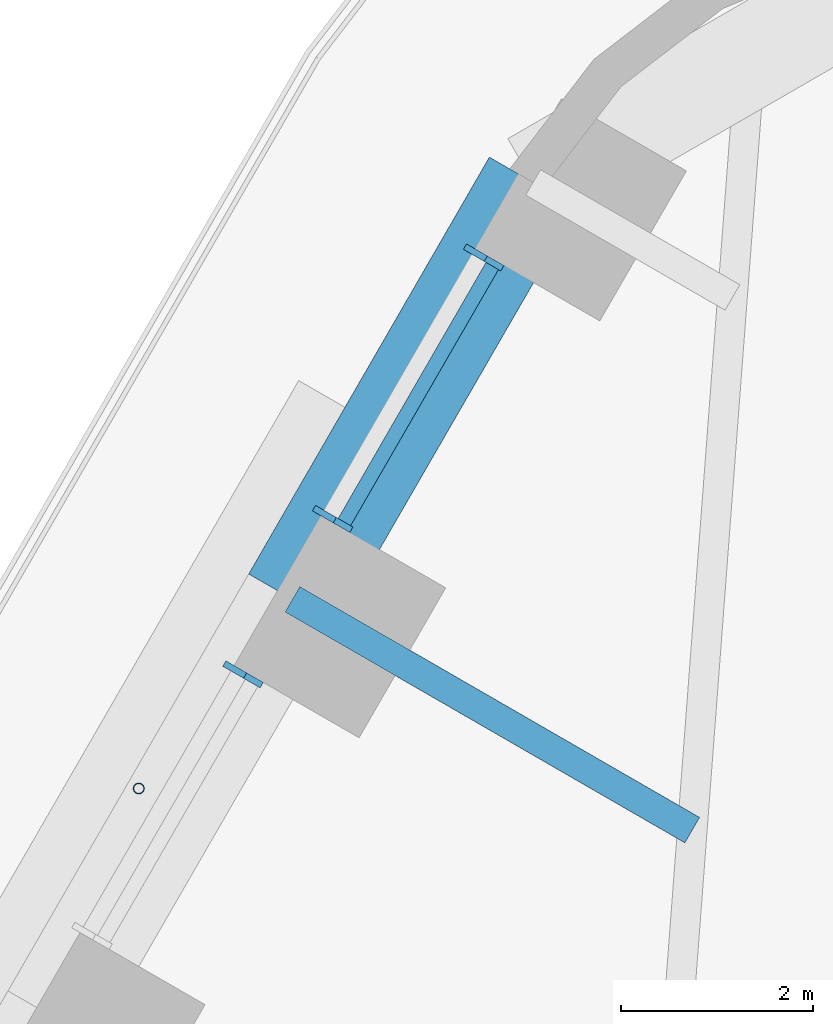
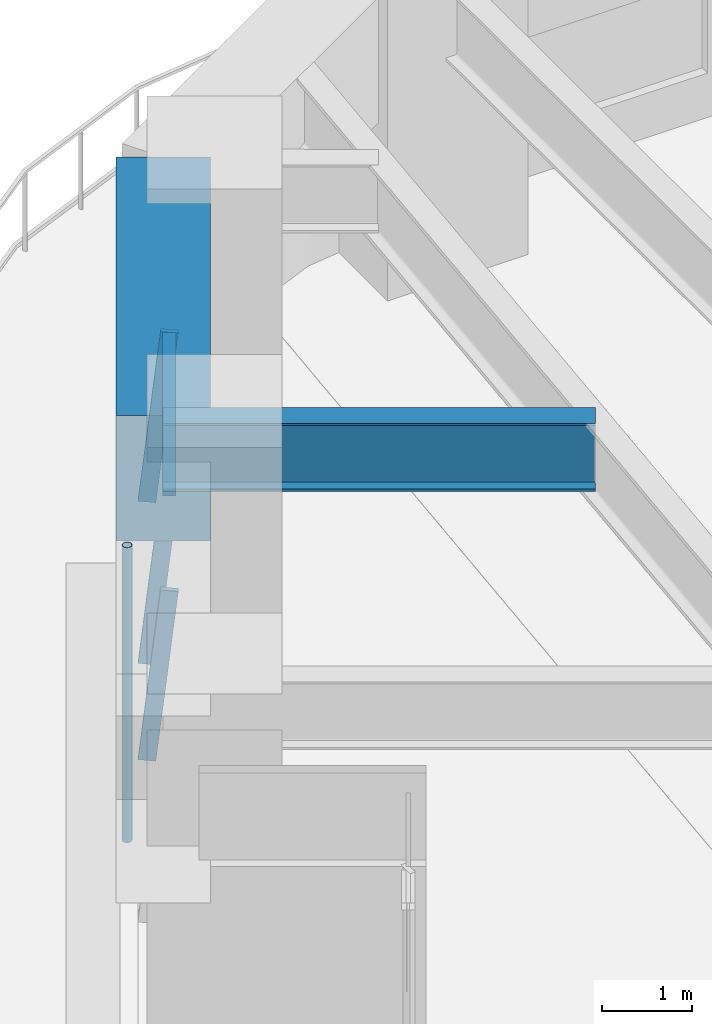
# One storey, part 9 of 24: 5 members, 2 beams, 2 elements without a shape of their own.
"""IFC4 building model written with IfcOpenShell, lengths in metres."""

import ifcopenshell
import ifcopenshell.guid

model = None  # the IFC model being written
_history = None  # IfcOwnerHistory: only IFC2X3 demands one
_inside = {}  # id of a spatial element -> (the spatial element, [elements in it])
_under = {}  # id of a project, library or spatial element -> (it, [spatial elements below it])
_declared = {}  # id of a project -> (the project, [libraries it declares])
_typed = {}  # id of a type object -> (the type object, [elements of that type])
_made_of = {}  # id of a material, layer set ... -> (it, [elements and type objects made of it])


def new_model(schema):
    """Start an empty IFC model of exactly this schema.

    Asked for "IFC4X3", IfcOpenShell would pick the latest addendum, in which some entities
    have other attributes; the version numbers below select the first issue.
    IFC2X3 requires an IfcOwnerHistory on every rooted entity: one is made here for all.
    """
    global model, _history
    if schema == "IFC4X3":
        model = ifcopenshell.file(schema_version=(4, 3, 0, 0))
    else:
        model = ifcopenshell.file(schema=schema)
    _inside.clear()
    _under.clear()
    _declared.clear()
    _typed.clear()
    _made_of.clear()
    _history = None
    if model.schema == "IFC2X3":
        org = make("IfcOrganization", Name="unknown")
        user = make(
            "IfcPersonAndOrganization",
            ThePerson=make("IfcPerson", FamilyName="unknown"),
            TheOrganization=org,
        )
        app = make(
            "IfcApplication",
            ApplicationDeveloper=org,
            Version="unknown",
            ApplicationFullName="unknown",
            ApplicationIdentifier="unknown",
        )
        _history = make(
            "IfcOwnerHistory",
            OwningUser=user,
            OwningApplication=app,
            ChangeAction="ADDED",
            CreationDate=0,
        )
    return model


def make(cls, **values):
    """One entity of the class cls with the attributes given. An attribute that is None is left unset."""
    return model.create_entity(
        cls, **{name: value for name, value in values.items() if value is not None}
    )


def rooted(cls, **values):
    """An entity with a GlobalId (a new one), such as an element, a storey or a relation."""
    return make(cls, GlobalId=ifcopenshell.guid.new(), OwnerHistory=_history, **values)


def si_unit(unit_type, name, prefix=None):
    """IfcSIUnit, for example si_unit("LENGTHUNIT", "METRE", prefix="MILLI")."""
    return make("IfcSIUnit", UnitType=unit_type, Prefix=prefix, Name=name)


def assignment(units):
    """IfcUnitAssignment: the units of a project."""
    return None if units is None else make("IfcUnitAssignment", Units=units)


def point(xyz):
    """IfcCartesianPoint."""
    return None if xyz is None else make("IfcCartesianPoint", Coordinates=xyz)


def direction(xyz):
    """IfcDirection."""
    return None if xyz is None else make("IfcDirection", DirectionRatios=xyz)


def frame(location, z_axis=None, x_axis=None):
    """IfcAxis2Placement3D, a coordinate frame: its origin and axes. An axis left out is left unset."""
    return make(
        "IfcAxis2Placement3D",
        Location=point(location),
        Axis=direction(z_axis),
        RefDirection=direction(x_axis),
    )


def frame_2d(location, x_axis=None):
    """IfcAxis2Placement2D, a coordinate frame in the plane: its origin and x axis."""
    return make(
        "IfcAxis2Placement2D", Location=point(location), RefDirection=direction(x_axis)
    )


def origin():
    """The frame at (0, 0, 0) with its axes left unset."""
    return frame((0.0, 0.0, 0.0))


def origin_2d():
    """The frame at (0, 0) in the plane with its x axis left unset."""
    return frame_2d((0.0, 0.0))


def place(relative_to, where):
    """IfcLocalPlacement: puts the frame where relative to a parent placement (None: the world)."""
    return make(
        "IfcLocalPlacement", PlacementRelTo=relative_to, RelativePlacement=where
    )


def context(
    kind, dimensions, precision=None, world=None, true_north=None, identifier=None
):
    """IfcGeometricRepresentationContext, for example the 3D "Model" context."""
    return make(
        "IfcGeometricRepresentationContext",
        ContextIdentifier=identifier,
        ContextType=kind,
        CoordinateSpaceDimension=dimensions,
        Precision=precision,
        WorldCoordinateSystem=world,
        TrueNorth=true_north,
    )


def subcontext(parent, identifier, kind, view, scale=None):
    """IfcGeometricRepresentationSubContext, for example "Body" below "Model"."""
    return make(
        "IfcGeometricRepresentationSubContext",
        ContextIdentifier=identifier,
        ContextType=kind,
        ParentContext=parent,
        TargetScale=scale,
        TargetView=view,
    )


def project(units=None, contexts=None):
    """IfcProject with its units and contexts."""
    return rooted(
        "IfcProject",
        Name="project",
        RepresentationContexts=contexts,
        UnitsInContext=assignment(units),
    )


def spatial(cls, under=None, at=None, **own):
    """A site, building, storey or space (cls), placed at a placement, below another one or the project."""
    s = rooted(cls, ObjectPlacement=at, **own)
    if under is not None:
        _under.setdefault(under.id(), (under, []))[1].append(s)
    return s


def profile(cls, at=None, kind="AREA", **sizes):
    """A parametric profile (cls). Its sizes go by their IFC names, for example OverallWidth=200.0."""
    return make(cls, ProfileType=kind, Position=at, **sizes)


def rectangle(**sizes):
    """IfcRectangleProfileDef."""
    return profile("IfcRectangleProfileDef", **sizes)


def hollow_circle(**sizes):
    """IfcCircleHollowProfileDef."""
    return profile("IfcCircleHollowProfileDef", **sizes)


def i_section(**sizes):
    """IfcIShapeProfileDef."""
    return profile("IfcIShapeProfileDef", **sizes)


def extrude(swept, where, along, depth):
    """IfcExtrudedAreaSolid: the profile swept, set in the frame where, extruded along a direction by depth."""
    return make(
        "IfcExtrudedAreaSolid",
        SweptArea=swept,
        Position=where,
        ExtrudedDirection=direction(along),
        Depth=depth,
    )


def shape(context_of_items, identifier, shape_type, items):
    """IfcShapeRepresentation: the items that make up one representation, for example the "Body"."""
    return make(
        "IfcShapeRepresentation",
        ContextOfItems=context_of_items,
        RepresentationIdentifier=identifier,
        RepresentationType=shape_type,
        Items=items,
    )


def material(Name=None, Category=None):
    """IfcMaterial."""
    return make("IfcMaterial", Name=Name, Category=Category)


def material_profile(
    of_material, cross_section, Name=None, Category=None, Priority=None
):
    """IfcMaterialProfile: a cross section and its material."""
    return make(
        "IfcMaterialProfile",
        Name=Name,
        Material=of_material,
        Profile=cross_section,
        Priority=Priority,
        Category=Category,
    )


def profile_set(profiles, Name=None, composite=None):
    """IfcMaterialProfileSet."""
    return make(
        "IfcMaterialProfileSet",
        Name=Name,
        MaterialProfiles=profiles,
        CompositeProfile=composite,
    )


def made_of(thing, what):
    """Note that an element or type object is made of a material, layer set ...; save() writes the relation."""
    if what is not None:
        _made_of.setdefault(what.id(), (what, []))[1].append(thing)
    return thing


def type_object(cls, material=None, **own):
    """A type object (cls), such as IfcWallType, which elements share."""
    return made_of(rooted(cls, **own), material)


def element(
    cls,
    number,
    at=None,
    inside=None,
    cuts=None,
    type_object=None,
    material=None,
    context=None,
    identifier="Body",
    shape_type=None,
    held_by="IfcProductDefinitionShape",
    body=None,
    shapes=None,
    **own,
):
    """One element of the class cls, such as IfcWall. Its Tag is "e" and its number.

    at: its placement. inside: the storey or other place that contains it. cuts: it is an
    opening in that element (IfcRelVoidsElement). A single representation is given by context,
    identifier, shape_type and body (its items); several are given by shapes. held_by: the class
    of the entity that holds the representations. save() writes the other relations.
    """
    e = rooted(cls, Tag="e%d" % number, ObjectPlacement=at, **own)
    if body is not None:
        shapes = [shape(context, identifier, shape_type, body)]
    if shapes is not None:
        e.Representation = make(held_by, Representations=shapes)
    if inside is not None:
        _inside.setdefault(inside.id(), (inside, []))[1].append(e)
    if cuts is not None:
        rooted(
            "IfcRelVoidsElement", RelatingBuildingElement=cuts, RelatedOpeningElement=e
        )
    if type_object is not None:
        _typed.setdefault(type_object.id(), (type_object, []))[1].append(e)
    return made_of(e, material)


def aggregate(whole, parts):
    """IfcRelAggregates: a whole, such as a stair, and the parts it consists of."""
    return rooted("IfcRelAggregates", RelatingObject=whole, RelatedObjects=parts)


def save(model, path):
    """Write the relations noted so far, then the file.

    IfcRelAggregates (storeys below a building ...), IfcRelContainedInSpatialStructure (elements
    in a storey), IfcRelDefinesByType, IfcRelAssociatesMaterial and IfcRelDeclares: one each for
    every whole, place, type object, material and project.
    """
    for whole, parts in _under.values():
        aggregate(whole, parts)
    for where, things in _inside.values():
        rooted(
            "IfcRelContainedInSpatialStructure",
            RelatedElements=things,
            RelatingStructure=where,
        )
    for kind, things in _typed.values():
        rooted("IfcRelDefinesByType", RelatedObjects=things, RelatingType=kind)
    for what, things in _made_of.values():
        rooted("IfcRelAssociatesMaterial", RelatedObjects=things, RelatingMaterial=what)
    for by, libraries in _declared.values():
        rooted("IfcRelDeclares", RelatingContext=by, RelatedDefinitions=libraries)
    model.write(path)


model = new_model("IFC4")

# Units and contexts
model_context = context("Model", 3, precision=1e-05, world=origin(), true_north=direction((0.0, 1.0)))
body_context = subcontext(model_context, "Body", "Model", "MODEL_VIEW")
ifc_project = project(units=[si_unit("LENGTHUNIT", "METRE"), si_unit("AREAUNIT", "SQUARE_METRE"), si_unit("VOLUMEUNIT", "CUBIC_METRE"), si_unit("PLANEANGLEUNIT", "RADIAN"), si_unit("MASSUNIT", "GRAM", prefix="KILO")], contexts=[model_context])

# Site, building, storey
site_placement = place(None, origin())
site = spatial("IfcSite", under=ifc_project, at=site_placement, CompositionType="ELEMENT")
building_placement = place(site_placement, origin())
building = spatial("IfcBuilding", under=site, at=building_placement, Name="Tarfa Lantern Tower", CompositionType="ELEMENT")
storey_placement = place(building_placement, frame((0.0, 0.0, 132.10009765625)))
storey = spatial("IfcBuildingStorey", under=building, at=storey_placement, Name="L29", CompositionType="ELEMENT", Elevation=132.10009765625)

# Curtain wall, members
ifc_material_1 = material(Name="Aluminium framed curtain wall", Category="aluminium")
curtain_wall_type = type_object("IfcCurtainWallType", Name="CW2 CANTED GLAZING MID ZONE 2300", PredefinedType="USERDEFINED", material=ifc_material_1)
curtain_wall_1_placement = place(storey_placement, origin())
curtain_wall_1 = element("IfcCurtainWall", 1, at=curtain_wall_1_placement, inside=storey, type_object=curtain_wall_type, Name="CW2 NW L29", ObjectType="CURTAIN WALL", PredefinedType="USERDEFINED")
ifc_material_2 = material(Name="Aluminium mullion", Category="aluminium")
ifc_material_profile_1 = material_profile(ifc_material_2, rectangle(XDim=0.06494140625, YDim=0.199951171875, at=origin_2d()), Name="AL MULLION 65x200")
ifc_profile_set_1 = profile_set([ifc_material_profile_1], Name="Aluminium mullion")
member_type_1 = type_object("IfcMemberType", Name="CWM1 MULLION 65x200", PredefinedType="MULLION", material=ifc_profile_set_1)
member_1_placement = place(storey_placement, frame((-20.15380859375, 27.892333984375, 0.0), z_axis=(0.093505113016, -0.054034557409, 0.994151427322), x_axis=(0.500342721131, 0.865827443207, 0.0)))
member_1 = element("IfcMember", 2, at=member_1_placement, type_object=member_type_1, Name="CW2 mullion 1", PredefinedType="MULLION", context=body_context, shape_type="SweptSolid", body=[
    extrude(rectangle(XDim=0.06494140625, YDim=0.199951171875, at=origin_2d()), origin(), (0.0, 0.0, 1.0), 2.313232421875),
])
member_2_placement = place(storey_placement, frame((-21.72314453125, 25.17431640625, 0.0), z_axis=(0.093505113016, -0.054034557409, 0.994151427322), x_axis=(0.500342721131, 0.865827443207, 0.0)))
member_2 = element("IfcMember", 3, at=member_2_placement, type_object=member_type_1, Name="CW2 mullion 2", PredefinedType="MULLION", context=body_context, shape_type="SweptSolid", body=[
    extrude(rectangle(XDim=0.06494140625, YDim=0.199951171875, at=origin_2d()), origin(), (0.0, 0.0, 1.0), 2.313232421875),
])

# Curtain wall, member
curtain_wall_2_placement = place(storey_placement, origin())
curtain_wall_2 = element("IfcCurtainWall", 4, at=curtain_wall_2_placement, inside=storey, type_object=curtain_wall_type, Name="CW2 NW L29", ObjectType="CURTAIN WALL", PredefinedType="USERDEFINED")
member_3_placement = place(storey_placement, frame((-22.65576171875, 23.55908203125, 0.0), z_axis=(0.093609724986, -0.054034023893, 0.994141611467), x_axis=(0.499919672301, 0.866071776036, 0.0)))
member_3 = element("IfcMember", 5, at=member_3_placement, type_object=member_type_1, Name="CW2 mullion 1", PredefinedType="MULLION", context=body_context, shape_type="SweptSolid", body=[
    extrude(rectangle(XDim=0.06494140625, YDim=0.199951171875, at=origin_2d()), origin(), (0.0, 0.0, 1.0), 2.3134765625),
])
aggregate(curtain_wall_2, [member_3])

# Member
ifc_material_3 = material(Name="Aluminium transom", Category="aluminium")
ifc_material_profile_2 = material_profile(ifc_material_3, rectangle(XDim=0.14990234375, YDim=0.06494140625, at=origin_2d()), Name="AL TRANSOM 150x65")
ifc_profile_set_2 = profile_set([ifc_material_profile_2], Name="Aluminium transom")
member_type_2 = type_object("IfcMemberType", Name="CWT1 TRANSOM 150x65", PredefinedType="USERDEFINED", material=ifc_profile_set_2)
member_4_placement = place(storey_placement, frame((-19.956787109375, 27.740966796875, 2.267333984375), z_axis=(-0.500008936691, -0.866020244122, 0.0), x_axis=(0.866020244122, -0.500008936691, 0.0)))
member_4 = element("IfcMember", 6, at=member_4_placement, type_object=member_type_2, Name="CW2 transom 1.2", ObjectType="TRANSOM", PredefinedType="USERDEFINED", context=body_context, shape_type="SweptSolid", body=[
    extrude(rectangle(XDim=0.14990234375, YDim=0.06494140625, at=origin_2d()), origin(), (0.0, 0.0, 1.0), 3.07373046875),
])

aggregate(curtain_wall_1, [member_1, member_2, member_4])

# Beam
ifc_material_4 = material(Name="Concrete C80/95", Category="concrete")
ifc_material_profile_3 = material_profile(ifc_material_4, rectangle(XDim=1.050048828125, YDim=1.699951171875, at=origin_2d()), Name="RC 1050x1700")
ifc_profile_set_3 = profile_set([ifc_material_profile_3], Name="Concrete C80/95")
beam_type_1 = type_object("IfcBeamType", Name="RB2 RC 1050x1700", PredefinedType="BEAM", material=ifc_profile_set_3)
beam_1_placement = place(storey_placement, frame((-19.53173828125, 28.610107421875, 3.14990234375), z_axis=(-0.500001197378, -0.866024712477, 0.0), x_axis=(0.866024712477, -0.500001197378, 0.0)))
element("IfcBeam", 7, at=beam_1_placement, inside=storey, type_object=beam_type_1, Name="Edge beam NW0", PredefinedType="BEAM", context=body_context, shape_type="SweptSolid", body=[
    extrude(rectangle(XDim=1.050048828125, YDim=1.699951171875, at=origin_2d()), origin(), (0.0, 0.0, 1.0), 5.00390625),
])

# Member
ifc_material_5 = material(Name="Steel S355", Category="steel")
ifc_material_profile_4 = material_profile(ifc_material_5, hollow_circle(Radius=0.05712890625, WallThickness=0.00634765625, at=origin_2d()), Name="CHS114.3x6.3")
ifc_profile_set_4 = profile_set([ifc_material_profile_4], Name="Steel S355")
member_type_3 = type_object("IfcMemberType", Name="TR1 GREEN WALL TRELLIS CHS114.3x6.3", PredefinedType="USERDEFINED", material=ifc_profile_set_4)
member_5_placement = place(storey_placement, frame((-23.630859375, 22.31005859375, 0.0), z_axis=(0.0, 0.0, 1.0), x_axis=(1.0, 0.0, 0.0)))
element("IfcMember", 8, at=member_5_placement, inside=storey, type_object=member_type_3, Name="Trellis post NW 1", ObjectType="TRELLIS", PredefinedType="USERDEFINED", context=body_context, shape_type="SweptSolid", body=[
    extrude(hollow_circle(Radius=0.05712890625, WallThickness=0.00634765625, at=origin_2d()), origin(), (0.0, 0.0, 1.0), 4.0),
])

# Beam
ifc_material_6 = material(Name="Steel S460M", Category="steel")
ifc_material_profile_5 = material_profile(ifc_material_6, i_section(OverallWidth=0.305419921875, OverallDepth=0.91845703125, WebThickness=0.017333984375, FlangeThickness=0.02783203125, FilletRadius=0.01904296875, at=origin_2d()), Name="UB914x305x253")
ifc_profile_set_5 = profile_set([ifc_material_profile_5], Name="Steel S460M")
beam_type_2 = type_object("IfcBeamType", Name="UB914x305x253", PredefinedType="BEAM", material=ifc_profile_set_5)
beam_2_placement = place(storey_placement, frame((-22.03369140625, 24.276611328125, 3.540771484375), z_axis=(0.866030550462, -0.499991085587, 0.0), x_axis=(0.499991085587, 0.866030550462, 0.0)))
element("IfcBeam", 9, at=beam_2_placement, inside=storey, type_object=beam_type_2, Name="Floor beam NW1", PredefinedType="BEAM", context=body_context, shape_type="SweptSolid", body=[
    extrude(i_section(OverallWidth=0.305419921875, OverallDepth=0.91845703125, WebThickness=0.017333984375, FlangeThickness=0.02783203125, FilletRadius=0.01904296875, at=origin_2d()), origin(), (0.0, 0.0, 1.0), 4.798828125),
])

save(model, "model.ifc")
